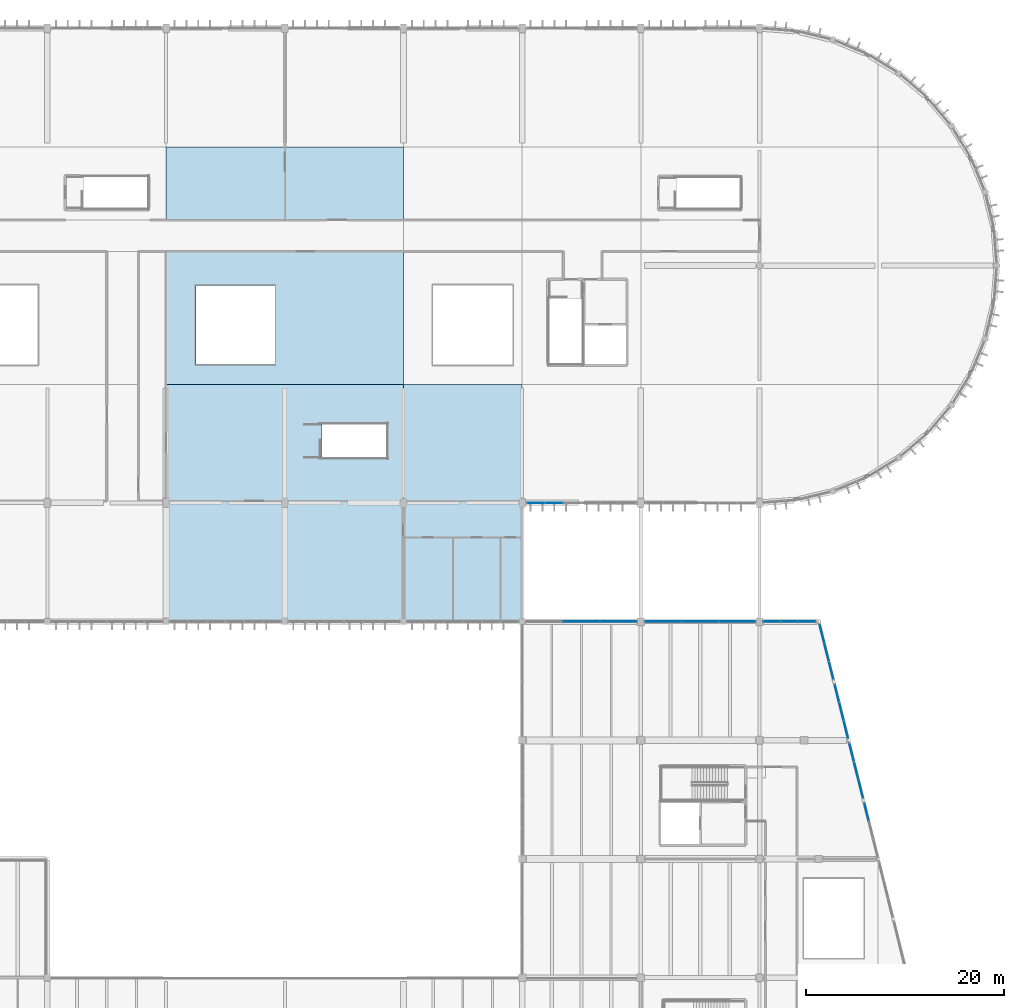
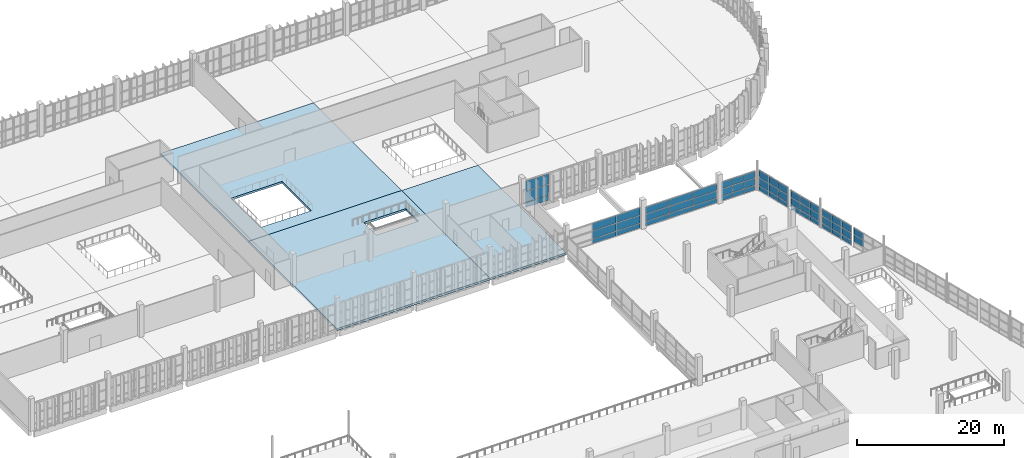
# One storey, part 67 of 112: 59 plates, 3 slabs, 8 elements without a shape of their own.
"""IFC4 building model written with IfcOpenShell, lengths in metres."""

from ifc_helpers import new_model, si_unit, direction, frame, origin, origin_2d, place, context, subcontext, project, spatial, polyline, rectangle, outline, extrude, material, layer, layer_set, type_object, element, aggregate, save


model = new_model("IFC4")

# Units and contexts
model_context = context("Model", 3, precision=1e-05, world=origin(), true_north=direction((0.0, 1.0)))
body_context = subcontext(model_context, "Body", "Model", "MODEL_VIEW")
ifc_project = project(units=[si_unit("LENGTHUNIT", "METRE"), si_unit("AREAUNIT", "SQUARE_METRE"), si_unit("VOLUMEUNIT", "CUBIC_METRE"), si_unit("PLANEANGLEUNIT", "RADIAN"), si_unit("MASSUNIT", "GRAM", prefix="KILO")], contexts=[model_context])

# Site, building, storey
site_placement = place(None, origin())
site = spatial("IfcSite", under=ifc_project, at=site_placement, CompositionType="ELEMENT")
building_placement = place(site_placement, origin())
building = spatial("IfcBuilding", under=site, at=building_placement, Name="Kamomehara Wholesale Market", CompositionType="ELEMENT")
storey_placement = place(building_placement, frame((0.0, 0.0, 6.60009765625)))
storey = spatial("IfcBuildingStorey", under=building, at=storey_placement, Name="L01", CompositionType="ELEMENT", Elevation=6.60009765625)

# Curtain wall, plates
ifc_material_1 = material(Name="Anodised aluminium 6063-T5", Category="aluminium")
curtain_wall_type_1 = type_object("IfcCurtainWallType", Name="CW-UN-02", PredefinedType="NOTDEFINED", material=ifc_material_1)
curtain_wall_1_placement = place(storey_placement, origin())
curtain_wall_1 = element("IfcCurtainWall", 1, at=curtain_wall_1_placement, inside=storey, type_object=curtain_wall_type_1, Name="Unitised curtain wall CW-092", PredefinedType="NOTDEFINED")
ifc_material_2 = material(Name="Solar-control Low-E double glazing", Category="glass")
ifc_layer_1 = layer(ifc_material_2, 0.028076171875)
ifc_layer_set_1 = layer_set([ifc_layer_1], Name="Solar-control Low-E double glazing")
plate_type_1 = type_object("IfcPlateType", Name="CW-PNL-GLZ", PredefinedType="CURTAIN_PANEL", material=ifc_layer_set_1)
plate_1_placement = place(storey_placement, frame((159.215087890625, 107.97998046875, 0.929443359375), z_axis=(0.0, 0.0, 1.0), x_axis=(-1.0, 0.0, 0.0)))
plate_1 = element("IfcPlate", 2, at=plate_1_placement, type_object=plate_type_1, Name="Curtain panel CW-092.1.1", PredefinedType="CURTAIN_PANEL", context=body_context, shape_type="SweptSolid", body=[
    extrude(rectangle(XDim=1.757080078125, YDim=0.028076171875, at=origin_2d()), origin(), (0.0, 0.0, 1.0), 1.7548828125),
])
plate_2_placement = place(storey_placement, frame((159.215087890625, 107.97998046875, 2.7451171875), z_axis=(0.0, 0.0, 1.0), x_axis=(-1.0, 0.0, 0.0)))
plate_2 = element("IfcPlate", 3, at=plate_2_placement, type_object=plate_type_1, Name="Curtain panel CW-092.1.2", PredefinedType="CURTAIN_PANEL", context=body_context, shape_type="SweptSolid", body=[
    extrude(rectangle(XDim=1.757080078125, YDim=0.028076171875, at=origin_2d()), origin(), (0.0, 0.0, 1.0), 1.715087890625),
])
plate_3_placement = place(storey_placement, frame((157.3779296875, 107.97998046875, 0.929443359375), z_axis=(0.0, 0.0, 1.0), x_axis=(-1.0, 0.0, 0.0)))
plate_3 = element("IfcPlate", 4, at=plate_3_placement, type_object=plate_type_1, Name="Curtain panel CW-092.2.1", PredefinedType="CURTAIN_PANEL", context=body_context, shape_type="SweptSolid", body=[
    extrude(rectangle(XDim=1.757080078125, YDim=0.028076171875, at=origin_2d()), origin(), (0.0, 0.0, 1.0), 1.7548828125),
])
plate_4_placement = place(storey_placement, frame((157.3779296875, 107.97998046875, 2.7451171875), z_axis=(0.0, 0.0, 1.0), x_axis=(-1.0, 0.0, 0.0)))
plate_4 = element("IfcPlate", 5, at=plate_4_placement, type_object=plate_type_1, Name="Curtain panel CW-092.2.2", PredefinedType="CURTAIN_PANEL", context=body_context, shape_type="SweptSolid", body=[
    extrude(rectangle(XDim=1.757080078125, YDim=0.028076171875, at=origin_2d()), origin(), (0.0, 0.0, 1.0), 1.715087890625),
])

ifc_material_3 = material(Name="Anodised aluminium 6063-T5", Category="aluminium")
curtain_wall_type_2 = type_object("IfcCurtainWallType", Name="CW-UN-09", PredefinedType="NOTDEFINED", material=ifc_material_3)
curtain_wall_2_placement = place(storey_placement, origin())
curtain_wall_2 = element("IfcCurtainWall", 6, at=curtain_wall_2_placement, inside=storey, type_object=curtain_wall_type_2, Name="Unitised curtain wall CW-185", PredefinedType="NOTDEFINED")
plate_5_placement = place(storey_placement, frame((189.333984375, 82.74609375, 0.8798828125), z_axis=(0.0, 0.0, 1.0), x_axis=(0.242616162662, -0.970122362187, 0.0)))
plate_5 = element("IfcPlate", 7, at=plate_5_placement, type_object=plate_type_1, Name="Curtain panel CW-185.0.1", PredefinedType="CURTAIN_PANEL", context=body_context, shape_type="SweptSolid", body=[
    extrude(rectangle(XDim=1.81494140625, YDim=0.028076171875, at=origin_2d()), origin(), (0.0, 0.0, 1.0), 1.154052734375),
])
plate_6_placement = place(storey_placement, frame((189.333984375, 82.74609375, 2.09375), z_axis=(0.0, 0.0, 1.0), x_axis=(0.242616162662, -0.970122362187, 0.0)))
plate_6 = element("IfcPlate", 8, at=plate_6_placement, type_object=plate_type_1, Name="Curtain panel CW-185.0.2", PredefinedType="CURTAIN_PANEL", context=body_context, shape_type="SweptSolid", body=[
    extrude(rectangle(XDim=1.81494140625, YDim=0.028076171875, at=origin_2d()), origin(), (0.0, 0.0, 1.0), 1.114013671875),
])
plate_7_placement = place(storey_placement, frame((189.7939453125, 80.907958984375, 0.8798828125), z_axis=(0.0, 0.0, 1.0), x_axis=(0.242616162662, -0.970122362187, 0.0)))
plate_7 = element("IfcPlate", 9, at=plate_7_placement, type_object=plate_type_1, Name="Curtain panel CW-185.1.1", PredefinedType="CURTAIN_PANEL", context=body_context, shape_type="SweptSolid", body=[
    extrude(rectangle(XDim=1.81494140625, YDim=0.028076171875, at=origin_2d()), origin(), (0.0, 0.0, 1.0), 1.154052734375),
])
plate_8_placement = place(storey_placement, frame((189.7939453125, 80.907958984375, 2.09375), z_axis=(0.0, 0.0, 1.0), x_axis=(0.242616162662, -0.970122362187, 0.0)))
plate_8 = element("IfcPlate", 10, at=plate_8_placement, type_object=plate_type_1, Name="Curtain panel CW-185.1.2", PredefinedType="CURTAIN_PANEL", context=body_context, shape_type="SweptSolid", body=[
    extrude(rectangle(XDim=1.81494140625, YDim=0.028076171875, at=origin_2d()), origin(), (0.0, 0.0, 1.0), 1.114013671875),
])
plate_9_placement = place(storey_placement, frame((190.25390625, 79.070068359375, 0.8798828125), z_axis=(0.0, 0.0, 1.0), x_axis=(0.242616162662, -0.970122362187, 0.0)))
plate_9 = element("IfcPlate", 11, at=plate_9_placement, type_object=plate_type_1, Name="Curtain panel CW-185.2.1", PredefinedType="CURTAIN_PANEL", context=body_context, shape_type="SweptSolid", body=[
    extrude(rectangle(XDim=1.81494140625, YDim=0.028076171875, at=origin_2d()), origin(), (0.0, 0.0, 1.0), 1.154052734375),
])
plate_10_placement = place(storey_placement, frame((190.25390625, 79.070068359375, 2.09375), z_axis=(0.0, 0.0, 1.0), x_axis=(0.242616162662, -0.970122362187, 0.0)))
plate_10 = element("IfcPlate", 12, at=plate_10_placement, type_object=plate_type_1, Name="Curtain panel CW-185.2.2", PredefinedType="CURTAIN_PANEL", context=body_context, shape_type="SweptSolid", body=[
    extrude(rectangle(XDim=1.81494140625, YDim=0.028076171875, at=origin_2d()), origin(), (0.0, 0.0, 1.0), 1.114013671875),
])

curtain_wall_3_placement = place(storey_placement, origin())
curtain_wall_3 = element("IfcCurtainWall", 13, at=curtain_wall_3_placement, inside=storey, type_object=curtain_wall_type_2, Name="Unitised curtain wall CW-186", PredefinedType="NOTDEFINED")
plate_11_placement = place(storey_placement, frame((190.8330078125, 76.751953125, 0.88037109375), z_axis=(0.0, 0.0, 1.0), x_axis=(0.242446840674, -0.97016469192, 0.0)))
plate_11 = element("IfcPlate", 14, at=plate_11_placement, type_object=plate_type_1, Name="Curtain panel CW-186.0.1", PredefinedType="CURTAIN_PANEL", context=body_context, shape_type="SweptSolid", body=[
    extrude(rectangle(XDim=1.802001953125, YDim=0.028076171875, at=origin_2d()), origin(), (0.0, 0.0, 1.0), 1.138916015625),
])
plate_12_placement = place(storey_placement, frame((190.8330078125, 76.751953125, 2.079345703125), z_axis=(0.0, 0.0, 1.0), x_axis=(0.242446840674, -0.97016469192, 0.0)))
plate_12 = element("IfcPlate", 15, at=plate_12_placement, type_object=plate_type_1, Name="Curtain panel CW-186.0.2", PredefinedType="CURTAIN_PANEL", context=body_context, shape_type="SweptSolid", body=[
    extrude(rectangle(XDim=1.802001953125, YDim=0.028076171875, at=origin_2d()), origin(), (0.0, 0.0, 1.0), 1.09912109375),
])
aggregate(curtain_wall_3, [plate_11, plate_12])

curtain_wall_4_placement = place(storey_placement, origin())
curtain_wall_4 = element("IfcCurtainWall", 16, at=curtain_wall_4_placement, inside=storey, type_object=curtain_wall_type_2, Name="Unitised curtain wall CW-187", PredefinedType="NOTDEFINED")
plate_13_placement = place(storey_placement, frame((186.333984375, 94.74609375, 0.8798828125), z_axis=(0.0, 0.0, 1.0), x_axis=(0.242616162662, -0.970122362187, 0.0)))
plate_13 = element("IfcPlate", 17, at=plate_13_placement, type_object=plate_type_1, Name="Curtain panel CW-187.0.1", PredefinedType="CURTAIN_PANEL", context=body_context, shape_type="SweptSolid", body=[
    extrude(rectangle(XDim=1.81494140625, YDim=0.028076171875, at=origin_2d()), origin(), (0.0, 0.0, 1.0), 1.25390625),
])
plate_14_placement = place(storey_placement, frame((186.333984375, 94.74609375, 2.19384765625), z_axis=(0.0, 0.0, 1.0), x_axis=(0.242616162662, -0.970122362187, 0.0)))
plate_14 = element("IfcPlate", 18, at=plate_14_placement, type_object=plate_type_1, Name="Curtain panel CW-187.0.2", PredefinedType="CURTAIN_PANEL", context=body_context, shape_type="SweptSolid", body=[
    extrude(rectangle(XDim=1.81494140625, YDim=0.028076171875, at=origin_2d()), origin(), (0.0, 0.0, 1.0), 1.214111328125),
])
plate_15_placement = place(storey_placement, frame((186.7939453125, 92.907958984375, 0.8798828125), z_axis=(0.0, 0.0, 1.0), x_axis=(0.242616162662, -0.970122362187, 0.0)))
plate_15 = element("IfcPlate", 19, at=plate_15_placement, type_object=plate_type_1, Name="Curtain panel CW-187.1.1", PredefinedType="CURTAIN_PANEL", context=body_context, shape_type="SweptSolid", body=[
    extrude(rectangle(XDim=1.81494140625, YDim=0.028076171875, at=origin_2d()), origin(), (0.0, 0.0, 1.0), 1.25390625),
])
plate_16_placement = place(storey_placement, frame((186.7939453125, 92.907958984375, 2.19384765625), z_axis=(0.0, 0.0, 1.0), x_axis=(0.242616162662, -0.970122362187, 0.0)))
plate_16 = element("IfcPlate", 20, at=plate_16_placement, type_object=plate_type_1, Name="Curtain panel CW-187.1.2", PredefinedType="CURTAIN_PANEL", context=body_context, shape_type="SweptSolid", body=[
    extrude(rectangle(XDim=1.81494140625, YDim=0.028076171875, at=origin_2d()), origin(), (0.0, 0.0, 1.0), 1.214111328125),
])
plate_17_placement = place(storey_placement, frame((187.25390625, 91.070068359375, 0.8798828125), z_axis=(0.0, 0.0, 1.0), x_axis=(0.242616162662, -0.970122362187, 0.0)))
plate_17 = element("IfcPlate", 21, at=plate_17_placement, type_object=plate_type_1, Name="Curtain panel CW-187.2.1", PredefinedType="CURTAIN_PANEL", context=body_context, shape_type="SweptSolid", body=[
    extrude(rectangle(XDim=1.81494140625, YDim=0.028076171875, at=origin_2d()), origin(), (0.0, 0.0, 1.0), 1.25390625),
])
plate_18_placement = place(storey_placement, frame((187.25390625, 91.070068359375, 2.19384765625), z_axis=(0.0, 0.0, 1.0), x_axis=(0.242616162662, -0.970122362187, 0.0)))
plate_18 = element("IfcPlate", 22, at=plate_18_placement, type_object=plate_type_1, Name="Curtain panel CW-187.2.2", PredefinedType="CURTAIN_PANEL", context=body_context, shape_type="SweptSolid", body=[
    extrude(rectangle(XDim=1.81494140625, YDim=0.028076171875, at=origin_2d()), origin(), (0.0, 0.0, 1.0), 1.214111328125),
])

curtain_wall_5_placement = place(storey_placement, origin())
curtain_wall_5 = element("IfcCurtainWall", 23, at=curtain_wall_5_placement, inside=storey, type_object=curtain_wall_type_2, Name="Unitised curtain wall CW-188", PredefinedType="NOTDEFINED")
plate_19_placement = place(storey_placement, frame((187.8330078125, 88.751953125, 0.8798828125), z_axis=(0.0, 0.0, 1.0), x_axis=(0.242446840674, -0.97016469192, 0.0)))
plate_19 = element("IfcPlate", 24, at=plate_19_placement, type_object=plate_type_1, Name="Curtain panel CW-188.0.1", PredefinedType="CURTAIN_PANEL", context=body_context, shape_type="SweptSolid", body=[
    extrude(rectangle(XDim=1.802001953125, YDim=0.028076171875, at=origin_2d()), origin(), (0.0, 0.0, 1.0), 1.154052734375),
])
plate_20_placement = place(storey_placement, frame((187.8330078125, 88.751953125, 2.09375), z_axis=(0.0, 0.0, 1.0), x_axis=(0.242446840674, -0.97016469192, 0.0)))
plate_20 = element("IfcPlate", 25, at=plate_20_placement, type_object=plate_type_1, Name="Curtain panel CW-188.0.2", PredefinedType="CURTAIN_PANEL", context=body_context, shape_type="SweptSolid", body=[
    extrude(rectangle(XDim=1.802001953125, YDim=0.028076171875, at=origin_2d()), origin(), (0.0, 0.0, 1.0), 1.114013671875),
])
plate_21_placement = place(storey_placement, frame((188.2890625, 86.926025390625, 0.8798828125), z_axis=(0.0, 0.0, 1.0), x_axis=(0.242446840674, -0.97016469192, 0.0)))
plate_21 = element("IfcPlate", 26, at=plate_21_placement, type_object=plate_type_1, Name="Curtain panel CW-188.1.1", PredefinedType="CURTAIN_PANEL", context=body_context, shape_type="SweptSolid", body=[
    extrude(rectangle(XDim=1.802001953125, YDim=0.028076171875, at=origin_2d()), origin(), (0.0, 0.0, 1.0), 1.154052734375),
])
plate_22_placement = place(storey_placement, frame((188.2890625, 86.926025390625, 2.09375), z_axis=(0.0, 0.0, 1.0), x_axis=(0.242446840674, -0.97016469192, 0.0)))
plate_22 = element("IfcPlate", 27, at=plate_22_placement, type_object=plate_type_1, Name="Curtain panel CW-188.1.2", PredefinedType="CURTAIN_PANEL", context=body_context, shape_type="SweptSolid", body=[
    extrude(rectangle(XDim=1.802001953125, YDim=0.028076171875, at=origin_2d()), origin(), (0.0, 0.0, 1.0), 1.114013671875),
])
plate_23_placement = place(storey_placement, frame((188.7451171875, 85.10009765625, 0.8798828125), z_axis=(0.0, 0.0, 1.0), x_axis=(0.242446840674, -0.97016469192, 0.0)))
plate_23 = element("IfcPlate", 28, at=plate_23_placement, type_object=plate_type_1, Name="Curtain panel CW-188.2.1", PredefinedType="CURTAIN_PANEL", context=body_context, shape_type="SweptSolid", body=[
    extrude(rectangle(XDim=1.802001953125, YDim=0.028076171875, at=origin_2d()), origin(), (0.0, 0.0, 1.0), 1.154052734375),
])
plate_24_placement = place(storey_placement, frame((188.7451171875, 85.10009765625, 2.09375), z_axis=(0.0, 0.0, 1.0), x_axis=(0.242446840674, -0.97016469192, 0.0)))
plate_24 = element("IfcPlate", 29, at=plate_24_placement, type_object=plate_type_1, Name="Curtain panel CW-188.2.2", PredefinedType="CURTAIN_PANEL", context=body_context, shape_type="SweptSolid", body=[
    extrude(rectangle(XDim=1.802001953125, YDim=0.028076171875, at=origin_2d()), origin(), (0.0, 0.0, 1.0), 1.114013671875),
])

ifc_material_4 = material(Name="Anodised aluminium 6063-T5", Category="aluminium")
curtain_wall_type_3 = type_object("IfcCurtainWallType", Name="CW-UN-08", PredefinedType="NOTDEFINED", material=ifc_material_4)
curtain_wall_6_placement = place(storey_placement, origin())
curtain_wall_6 = element("IfcCurtainWall", 30, at=curtain_wall_6_placement, inside=storey, type_object=curtain_wall_type_3, Name="Unitised curtain wall CW-189", PredefinedType="NOTDEFINED")
plate_25_placement = place(storey_placement, frame((161.98291015625, 96.02001953125, 0.8798828125), z_axis=(0.0, 0.0, 1.0), x_axis=(1.0, 0.0, 0.0)))
plate_25 = element("IfcPlate", 31, at=plate_25_placement, type_object=plate_type_1, Name="Curtain panel CW-189.1.1", PredefinedType="CURTAIN_PANEL", context=body_context, shape_type="SweptSolid", body=[
    extrude(rectangle(XDim=3.675048828125, YDim=0.028076171875, at=origin_2d()), origin(), (0.0, 0.0, 1.0), 1.27392578125),
])
plate_26_placement = place(storey_placement, frame((161.98291015625, 96.02001953125, 2.2138671875), z_axis=(0.0, 0.0, 1.0), x_axis=(1.0, 0.0, 0.0)))
plate_26 = element("IfcPlate", 32, at=plate_26_placement, type_object=plate_type_1, Name="Curtain panel CW-189.1.2", PredefinedType="CURTAIN_PANEL", context=body_context, shape_type="SweptSolid", body=[
    extrude(rectangle(XDim=3.675048828125, YDim=0.028076171875, at=origin_2d()), origin(), (0.0, 0.0, 1.0), 1.23388671875),
])
plate_27_placement = place(storey_placement, frame((165.738037109375, 96.02001953125, 0.8798828125), z_axis=(0.0, 0.0, 1.0), x_axis=(1.0, 0.0, 0.0)))
plate_27 = element("IfcPlate", 33, at=plate_27_placement, type_object=plate_type_1, Name="Curtain panel CW-189.2.1", PredefinedType="CURTAIN_PANEL", context=body_context, shape_type="SweptSolid", body=[
    extrude(rectangle(XDim=3.675048828125, YDim=0.028076171875, at=origin_2d()), origin(), (0.0, 0.0, 1.0), 1.27392578125),
])
plate_28_placement = place(storey_placement, frame((165.738037109375, 96.02001953125, 2.2138671875), z_axis=(0.0, 0.0, 1.0), x_axis=(1.0, 0.0, 0.0)))
plate_28 = element("IfcPlate", 34, at=plate_28_placement, type_object=plate_type_1, Name="Curtain panel CW-189.2.2", PredefinedType="CURTAIN_PANEL", context=body_context, shape_type="SweptSolid", body=[
    extrude(rectangle(XDim=3.675048828125, YDim=0.028076171875, at=origin_2d()), origin(), (0.0, 0.0, 1.0), 1.23388671875),
])

curtain_wall_7_placement = place(storey_placement, origin())
curtain_wall_7 = element("IfcCurtainWall", 35, at=curtain_wall_7_placement, inside=storey, type_object=curtain_wall_type_3, Name="Unitised curtain wall CW-190", PredefinedType="NOTDEFINED")
plate_29_placement = place(storey_placement, frame((170.257080078125, 96.02001953125, 0.88037109375), z_axis=(0.0, 0.0, 1.0), x_axis=(1.0, 0.0, 0.0)))
plate_29 = element("IfcPlate", 36, at=plate_29_placement, type_object=plate_type_1, Name="Curtain panel CW-190.0.1", PredefinedType="CURTAIN_PANEL", context=body_context, shape_type="SweptSolid", body=[
    extrude(rectangle(XDim=3.6630859375, YDim=0.028076171875, at=origin_2d()), origin(), (0.0, 0.0, 1.0), 1.14892578125),
])
plate_30_placement = place(storey_placement, frame((170.257080078125, 96.02001953125, 2.08935546875), z_axis=(0.0, 0.0, 1.0), x_axis=(1.0, 0.0, 0.0)))
plate_30 = element("IfcPlate", 37, at=plate_30_placement, type_object=plate_type_1, Name="Curtain panel CW-190.0.2", PredefinedType="CURTAIN_PANEL", context=body_context, shape_type="SweptSolid", body=[
    extrude(rectangle(XDim=3.6630859375, YDim=0.028076171875, at=origin_2d()), origin(), (0.0, 0.0, 1.0), 1.10888671875),
])
plate_31_placement = place(storey_placement, frame((174.0, 96.02001953125, 0.88037109375), z_axis=(0.0, 0.0, 1.0), x_axis=(1.0, 0.0, 0.0)))
plate_31 = element("IfcPlate", 38, at=plate_31_placement, type_object=plate_type_1, Name="Curtain panel CW-190.1.1", PredefinedType="CURTAIN_PANEL", context=body_context, shape_type="SweptSolid", body=[
    extrude(rectangle(XDim=3.6630859375, YDim=0.028076171875, at=origin_2d()), origin(), (0.0, 0.0, 1.0), 1.14892578125),
])
plate_32_placement = place(storey_placement, frame((174.0, 96.02001953125, 2.08935546875), z_axis=(0.0, 0.0, 1.0), x_axis=(1.0, 0.0, 0.0)))
plate_32 = element("IfcPlate", 39, at=plate_32_placement, type_object=plate_type_1, Name="Curtain panel CW-190.1.2", PredefinedType="CURTAIN_PANEL", context=body_context, shape_type="SweptSolid", body=[
    extrude(rectangle(XDim=3.6630859375, YDim=0.028076171875, at=origin_2d()), origin(), (0.0, 0.0, 1.0), 1.10888671875),
])
plate_33_placement = place(storey_placement, frame((177.742919921875, 96.02001953125, 0.88037109375), z_axis=(0.0, 0.0, 1.0), x_axis=(1.0, 0.0, 0.0)))
plate_33 = element("IfcPlate", 40, at=plate_33_placement, type_object=plate_type_1, Name="Curtain panel CW-190.2.1", PredefinedType="CURTAIN_PANEL", context=body_context, shape_type="SweptSolid", body=[
    extrude(rectangle(XDim=3.6630859375, YDim=0.028076171875, at=origin_2d()), origin(), (0.0, 0.0, 1.0), 1.14892578125),
])
plate_34_placement = place(storey_placement, frame((177.742919921875, 96.02001953125, 2.08935546875), z_axis=(0.0, 0.0, 1.0), x_axis=(1.0, 0.0, 0.0)))
plate_34 = element("IfcPlate", 41, at=plate_34_placement, type_object=plate_type_1, Name="Curtain panel CW-190.2.2", PredefinedType="CURTAIN_PANEL", context=body_context, shape_type="SweptSolid", body=[
    extrude(rectangle(XDim=3.6630859375, YDim=0.028076171875, at=origin_2d()), origin(), (0.0, 0.0, 1.0), 1.10888671875),
])

curtain_wall_8_placement = place(storey_placement, origin())
curtain_wall_8 = element("IfcCurtainWall", 42, at=curtain_wall_8_placement, inside=storey, type_object=curtain_wall_type_3, Name="Unitised curtain wall CW-191", PredefinedType="NOTDEFINED")
plate_35_placement = place(storey_placement, frame((181.261962890625, 96.02001953125, 0.88037109375), z_axis=(0.0, 0.0, 1.0), x_axis=(1.0, 0.0, 0.0)))
plate_35 = element("IfcPlate", 43, at=plate_35_placement, type_object=plate_type_1, Name="Curtain panel CW-191.0.1", PredefinedType="CURTAIN_PANEL", context=body_context, shape_type="SweptSolid", body=[
    extrude(rectangle(XDim=1.675048828125, YDim=0.028076171875, at=origin_2d()), origin(), (0.0, 0.0, 1.0), 1.14892578125),
])
plate_36_placement = place(storey_placement, frame((181.261962890625, 96.02001953125, 2.08935546875), z_axis=(0.0, 0.0, 1.0), x_axis=(1.0, 0.0, 0.0)))
plate_36 = element("IfcPlate", 44, at=plate_36_placement, type_object=plate_type_1, Name="Curtain panel CW-191.0.2", PredefinedType="CURTAIN_PANEL", context=body_context, shape_type="SweptSolid", body=[
    extrude(rectangle(XDim=1.675048828125, YDim=0.028076171875, at=origin_2d()), origin(), (0.0, 0.0, 1.0), 1.10888671875),
])
plate_37_placement = place(storey_placement, frame((183.01708984375, 96.02001953125, 0.88037109375), z_axis=(0.0, 0.0, 1.0), x_axis=(1.0, 0.0, 0.0)))
plate_37 = element("IfcPlate", 45, at=plate_37_placement, type_object=plate_type_1, Name="Curtain panel CW-191.1.1", PredefinedType="CURTAIN_PANEL", context=body_context, shape_type="SweptSolid", body=[
    extrude(rectangle(XDim=1.675048828125, YDim=0.028076171875, at=origin_2d()), origin(), (0.0, 0.0, 1.0), 1.14892578125),
])
plate_38_placement = place(storey_placement, frame((183.01708984375, 96.02001953125, 2.08935546875), z_axis=(0.0, 0.0, 1.0), x_axis=(1.0, 0.0, 0.0)))
plate_38 = element("IfcPlate", 46, at=plate_38_placement, type_object=plate_type_1, Name="Curtain panel CW-191.1.2", PredefinedType="CURTAIN_PANEL", context=body_context, shape_type="SweptSolid", body=[
    extrude(rectangle(XDim=1.675048828125, YDim=0.028076171875, at=origin_2d()), origin(), (0.0, 0.0, 1.0), 1.10888671875),
])
plate_39_placement = place(storey_placement, frame((184.77294921875, 96.02001953125, 0.88037109375), z_axis=(0.0, 0.0, 1.0), x_axis=(1.0, 0.0, 0.0)))
plate_39 = element("IfcPlate", 47, at=plate_39_placement, type_object=plate_type_1, Name="Curtain panel CW-191.2.1", PredefinedType="CURTAIN_PANEL", context=body_context, shape_type="SweptSolid", body=[
    extrude(rectangle(XDim=1.675048828125, YDim=0.028076171875, at=origin_2d()), origin(), (0.0, 0.0, 1.0), 1.14892578125),
])
plate_40_placement = place(storey_placement, frame((184.77294921875, 96.02001953125, 2.08935546875), z_axis=(0.0, 0.0, 1.0), x_axis=(1.0, 0.0, 0.0)))
plate_40 = element("IfcPlate", 48, at=plate_40_placement, type_object=plate_type_1, Name="Curtain panel CW-191.2.2", PredefinedType="CURTAIN_PANEL", context=body_context, shape_type="SweptSolid", body=[
    extrude(rectangle(XDim=1.675048828125, YDim=0.028076171875, at=origin_2d()), origin(), (0.0, 0.0, 1.0), 1.10888671875),
])

# Plate
ifc_material_5 = material(Name="Insulated aluminium spandrel panel", Category="aluminium")
ifc_layer_2 = layer(ifc_material_5, 0.0400390625)
ifc_layer_set_2 = layer_set([ifc_layer_2], Name="Insulated aluminium spandrel panel")
plate_type_2 = type_object("IfcPlateType", Name="CW-PNL-SPN", PredefinedType="CURTAIN_PANEL", material=ifc_layer_set_2)
plate_41_placement = place(storey_placement, frame((159.215087890625, 107.97998046875, 0.06982421875), z_axis=(0.0, 0.0, 1.0), x_axis=(-1.0, 0.0, 0.0)))
plate_41 = element("IfcPlate", 49, at=plate_41_placement, type_object=plate_type_2, Name="Curtain panel CW-092.1.0", PredefinedType="CURTAIN_PANEL", context=body_context, shape_type="SweptSolid", body=[
    extrude(rectangle(XDim=1.757080078125, YDim=0.0400390625, at=origin_2d()), origin(), (0.0, 0.0, 1.0), 0.800048828125),
])

plate_42_placement = place(storey_placement, frame((157.3779296875, 107.97998046875, 0.06982421875), z_axis=(0.0, 0.0, 1.0), x_axis=(-1.0, 0.0, 0.0)))
plate_42 = element("IfcPlate", 50, at=plate_42_placement, type_object=plate_type_2, Name="Curtain panel CW-092.2.0", PredefinedType="CURTAIN_PANEL", context=body_context, shape_type="SweptSolid", body=[
    extrude(rectangle(XDim=1.757080078125, YDim=0.0400390625, at=origin_2d()), origin(), (0.0, 0.0, 1.0), 0.800048828125),
])

aggregate(curtain_wall_1, [plate_41, plate_1, plate_2, plate_42, plate_3, plate_4])

plate_43_placement = place(storey_placement, frame((189.333984375, 82.74609375, 0.06982421875), z_axis=(0.0, 0.0, 1.0), x_axis=(0.242616162662, -0.970122362187, 0.0)))
plate_43 = element("IfcPlate", 51, at=plate_43_placement, type_object=plate_type_2, Name="Curtain panel CW-185.0.0", PredefinedType="CURTAIN_PANEL", context=body_context, shape_type="SweptSolid", body=[
    extrude(rectangle(XDim=1.81494140625, YDim=0.0400390625, at=origin_2d()), origin(), (0.0, 0.0, 1.0), 0.75),
])

plate_44_placement = place(storey_placement, frame((189.7939453125, 80.907958984375, 0.06982421875), z_axis=(0.0, 0.0, 1.0), x_axis=(0.242616162662, -0.970122362187, 0.0)))
plate_44 = element("IfcPlate", 52, at=plate_44_placement, type_object=plate_type_2, Name="Curtain panel CW-185.1.0", PredefinedType="CURTAIN_PANEL", context=body_context, shape_type="SweptSolid", body=[
    extrude(rectangle(XDim=1.81494140625, YDim=0.0400390625, at=origin_2d()), origin(), (0.0, 0.0, 1.0), 0.75),
])

plate_45_placement = place(storey_placement, frame((190.25390625, 79.070068359375, 0.06982421875), z_axis=(0.0, 0.0, 1.0), x_axis=(0.242616162662, -0.970122362187, 0.0)))
plate_45 = element("IfcPlate", 53, at=plate_45_placement, type_object=plate_type_2, Name="Curtain panel CW-185.2.0", PredefinedType="CURTAIN_PANEL", context=body_context, shape_type="SweptSolid", body=[
    extrude(rectangle(XDim=1.81494140625, YDim=0.0400390625, at=origin_2d()), origin(), (0.0, 0.0, 1.0), 0.75),
])

aggregate(curtain_wall_2, [plate_43, plate_5, plate_6, plate_44, plate_7, plate_8, plate_45, plate_9, plate_10])

plate_46_placement = place(storey_placement, frame((186.333984375, 94.74609375, 0.06982421875), z_axis=(0.0, 0.0, 1.0), x_axis=(0.242616162662, -0.970122362187, 0.0)))
plate_46 = element("IfcPlate", 54, at=plate_46_placement, type_object=plate_type_2, Name="Curtain panel CW-187.0.0", PredefinedType="CURTAIN_PANEL", context=body_context, shape_type="SweptSolid", body=[
    extrude(rectangle(XDim=1.81494140625, YDim=0.0400390625, at=origin_2d()), origin(), (0.0, 0.0, 1.0), 0.75),
])

plate_47_placement = place(storey_placement, frame((186.7939453125, 92.907958984375, 0.06982421875), z_axis=(0.0, 0.0, 1.0), x_axis=(0.242616162662, -0.970122362187, 0.0)))
plate_47 = element("IfcPlate", 55, at=plate_47_placement, type_object=plate_type_2, Name="Curtain panel CW-187.1.0", PredefinedType="CURTAIN_PANEL", context=body_context, shape_type="SweptSolid", body=[
    extrude(rectangle(XDim=1.81494140625, YDim=0.0400390625, at=origin_2d()), origin(), (0.0, 0.0, 1.0), 0.75),
])

plate_48_placement = place(storey_placement, frame((187.25390625, 91.070068359375, 0.06982421875), z_axis=(0.0, 0.0, 1.0), x_axis=(0.242616162662, -0.970122362187, 0.0)))
plate_48 = element("IfcPlate", 56, at=plate_48_placement, type_object=plate_type_2, Name="Curtain panel CW-187.2.0", PredefinedType="CURTAIN_PANEL", context=body_context, shape_type="SweptSolid", body=[
    extrude(rectangle(XDim=1.81494140625, YDim=0.0400390625, at=origin_2d()), origin(), (0.0, 0.0, 1.0), 0.75),
])

aggregate(curtain_wall_4, [plate_46, plate_13, plate_14, plate_47, plate_15, plate_16, plate_48, plate_17, plate_18])

plate_49_placement = place(storey_placement, frame((187.8330078125, 88.751953125, 0.06982421875), z_axis=(0.0, 0.0, 1.0), x_axis=(0.242446840674, -0.97016469192, 0.0)))
plate_49 = element("IfcPlate", 57, at=plate_49_placement, type_object=plate_type_2, Name="Curtain panel CW-188.0.0", PredefinedType="CURTAIN_PANEL", context=body_context, shape_type="SweptSolid", body=[
    extrude(rectangle(XDim=1.802001953125, YDim=0.0400390625, at=origin_2d()), origin(), (0.0, 0.0, 1.0), 0.75),
])

plate_50_placement = place(storey_placement, frame((188.2890625, 86.926025390625, 0.06982421875), z_axis=(0.0, 0.0, 1.0), x_axis=(0.242446840674, -0.97016469192, 0.0)))
plate_50 = element("IfcPlate", 58, at=plate_50_placement, type_object=plate_type_2, Name="Curtain panel CW-188.1.0", PredefinedType="CURTAIN_PANEL", context=body_context, shape_type="SweptSolid", body=[
    extrude(rectangle(XDim=1.802001953125, YDim=0.0400390625, at=origin_2d()), origin(), (0.0, 0.0, 1.0), 0.75),
])

plate_51_placement = place(storey_placement, frame((188.7451171875, 85.10009765625, 0.06982421875), z_axis=(0.0, 0.0, 1.0), x_axis=(0.242446840674, -0.97016469192, 0.0)))
plate_51 = element("IfcPlate", 59, at=plate_51_placement, type_object=plate_type_2, Name="Curtain panel CW-188.2.0", PredefinedType="CURTAIN_PANEL", context=body_context, shape_type="SweptSolid", body=[
    extrude(rectangle(XDim=1.802001953125, YDim=0.0400390625, at=origin_2d()), origin(), (0.0, 0.0, 1.0), 0.75),
])

aggregate(curtain_wall_5, [plate_49, plate_19, plate_20, plate_50, plate_21, plate_22, plate_51, plate_23, plate_24])

plate_52_placement = place(storey_placement, frame((161.98291015625, 96.02001953125, 0.06982421875), z_axis=(0.0, 0.0, 1.0), x_axis=(1.0, 0.0, 0.0)))
plate_52 = element("IfcPlate", 60, at=plate_52_placement, type_object=plate_type_2, Name="Curtain panel CW-189.1.0", PredefinedType="CURTAIN_PANEL", context=body_context, shape_type="SweptSolid", body=[
    extrude(rectangle(XDim=3.675048828125, YDim=0.0400390625, at=origin_2d()), origin(), (0.0, 0.0, 1.0), 0.75),
])

plate_53_placement = place(storey_placement, frame((165.738037109375, 96.02001953125, 0.06982421875), z_axis=(0.0, 0.0, 1.0), x_axis=(1.0, 0.0, 0.0)))
plate_53 = element("IfcPlate", 61, at=plate_53_placement, type_object=plate_type_2, Name="Curtain panel CW-189.2.0", PredefinedType="CURTAIN_PANEL", context=body_context, shape_type="SweptSolid", body=[
    extrude(rectangle(XDim=3.675048828125, YDim=0.0400390625, at=origin_2d()), origin(), (0.0, 0.0, 1.0), 0.75),
])

aggregate(curtain_wall_6, [plate_52, plate_25, plate_26, plate_53, plate_27, plate_28])

plate_54_placement = place(storey_placement, frame((170.257080078125, 96.02001953125, 0.06982421875), z_axis=(0.0, 0.0, 1.0), x_axis=(1.0, 0.0, 0.0)))
plate_54 = element("IfcPlate", 62, at=plate_54_placement, type_object=plate_type_2, Name="Curtain panel CW-190.0.0", PredefinedType="CURTAIN_PANEL", context=body_context, shape_type="SweptSolid", body=[
    extrude(rectangle(XDim=3.6630859375, YDim=0.0400390625, at=origin_2d()), origin(), (0.0, 0.0, 1.0), 0.75),
])

plate_55_placement = place(storey_placement, frame((174.0, 96.02001953125, 0.06982421875), z_axis=(0.0, 0.0, 1.0), x_axis=(1.0, 0.0, 0.0)))
plate_55 = element("IfcPlate", 63, at=plate_55_placement, type_object=plate_type_2, Name="Curtain panel CW-190.1.0", PredefinedType="CURTAIN_PANEL", context=body_context, shape_type="SweptSolid", body=[
    extrude(rectangle(XDim=3.6630859375, YDim=0.0400390625, at=origin_2d()), origin(), (0.0, 0.0, 1.0), 0.75),
])

plate_56_placement = place(storey_placement, frame((177.742919921875, 96.02001953125, 0.06982421875), z_axis=(0.0, 0.0, 1.0), x_axis=(1.0, 0.0, 0.0)))
plate_56 = element("IfcPlate", 64, at=plate_56_placement, type_object=plate_type_2, Name="Curtain panel CW-190.2.0", PredefinedType="CURTAIN_PANEL", context=body_context, shape_type="SweptSolid", body=[
    extrude(rectangle(XDim=3.6630859375, YDim=0.0400390625, at=origin_2d()), origin(), (0.0, 0.0, 1.0), 0.75),
])

aggregate(curtain_wall_7, [plate_54, plate_29, plate_30, plate_55, plate_31, plate_32, plate_56, plate_33, plate_34])

plate_57_placement = place(storey_placement, frame((181.261962890625, 96.02001953125, 0.06982421875), z_axis=(0.0, 0.0, 1.0), x_axis=(1.0, 0.0, 0.0)))
plate_57 = element("IfcPlate", 65, at=plate_57_placement, type_object=plate_type_2, Name="Curtain panel CW-191.0.0", PredefinedType="CURTAIN_PANEL", context=body_context, shape_type="SweptSolid", body=[
    extrude(rectangle(XDim=1.675048828125, YDim=0.0400390625, at=origin_2d()), origin(), (0.0, 0.0, 1.0), 0.75),
])

plate_58_placement = place(storey_placement, frame((183.01708984375, 96.02001953125, 0.06982421875), z_axis=(0.0, 0.0, 1.0), x_axis=(1.0, 0.0, 0.0)))
plate_58 = element("IfcPlate", 66, at=plate_58_placement, type_object=plate_type_2, Name="Curtain panel CW-191.1.0", PredefinedType="CURTAIN_PANEL", context=body_context, shape_type="SweptSolid", body=[
    extrude(rectangle(XDim=1.675048828125, YDim=0.0400390625, at=origin_2d()), origin(), (0.0, 0.0, 1.0), 0.75),
])

plate_59_placement = place(storey_placement, frame((184.77294921875, 96.02001953125, 0.06982421875), z_axis=(0.0, 0.0, 1.0), x_axis=(1.0, 0.0, 0.0)))
plate_59 = element("IfcPlate", 67, at=plate_59_placement, type_object=plate_type_2, Name="Curtain panel CW-191.2.0", PredefinedType="CURTAIN_PANEL", context=body_context, shape_type="SweptSolid", body=[
    extrude(rectangle(XDim=1.675048828125, YDim=0.0400390625, at=origin_2d()), origin(), (0.0, 0.0, 1.0), 0.75),
])

aggregate(curtain_wall_8, [plate_57, plate_35, plate_36, plate_58, plate_37, plate_38, plate_59, plate_39, plate_40])

# Slabs
ifc_material_6 = material(Name="Concrete Fc36 (C35/45)", Category="concrete")
ifc_layer_3 = layer(ifc_material_6, 0.320068359375)
ifc_layer_set_3 = layer_set([ifc_layer_3], Name="Concrete Fc36 (C35/45)")
slab_type_1 = type_object("IfcSlabType", Name="SLB-FLR-240", PredefinedType="FLOOR", material=ifc_layer_set_3)
slab_1_placement = place(storey_placement, frame((0.0, 0.0, -0.320068359375)))
element("IfcSlab", 68, at=slab_1_placement, inside=storey, type_object=slab_type_1, Name="Floor slab V1 L01 79", PredefinedType="FLOOR", context=body_context, shape_type="SweptSolid", body=[
    extrude(outline(polyline([(156.0, 96.0), (144.0, 96.0), (144.0, 120.0), (156.0, 120.0), (156.0, 96.0)])), origin(), (0.0, 0.0, 1.0), 0.320068359375),
])
ifc_material_7 = material(Name="Concrete Fc36 (C35/45)", Category="concrete")
ifc_layer_4 = layer(ifc_material_7, 0.330078125)
ifc_layer_set_4 = layer_set([ifc_layer_4], Name="Concrete Fc36 (C35/45)")
slab_type_2 = type_object("IfcSlabType", Name="SLB-FLR-260", PredefinedType="FLOOR", material=ifc_layer_set_4)
slab_2_placement = place(storey_placement, frame((0.0, 0.0, -0.330078125)))
element("IfcSlab", 69, at=slab_2_placement, inside=storey, type_object=slab_type_2, Name="Floor slab V1 L01 77", PredefinedType="FLOOR", context=body_context, shape_type="SweptSolid", body=[
    extrude(outline(polyline([(120.0, 120.0), (120.0, 144.0), (144.0, 144.0), (144.0, 120.0), (120.0, 120.0)]), holes=[polyline([(131.0, 122.0), (131.0, 130.0), (123.0, 130.0), (123.0, 122.0), (131.0, 122.0)])]), origin(), (0.0, 0.0, 1.0), 0.330078125),
])
ifc_material_8 = material(Name="Concrete Fc36 (C35/45)", Category="concrete")
ifc_layer_5 = layer(ifc_material_8, 0.340087890625)
ifc_layer_set_5 = layer_set([ifc_layer_5], Name="Concrete Fc36 (C35/45)")
slab_type_3 = type_object("IfcSlabType", Name="SLB-FLR-280", PredefinedType="FLOOR", material=ifc_layer_set_5)
slab_3_placement = place(storey_placement, frame((0.0, 0.0, -0.340087890625)))
element("IfcSlab", 70, at=slab_3_placement, inside=storey, type_object=slab_type_3, Name="Floor slab V1 L01 76", PredefinedType="FLOOR", context=body_context, shape_type="SweptSolid", body=[
    extrude(outline(polyline([(120.0, 120.0), (144.0, 120.0), (144.0, 96.0), (120.0, 96.0), (120.0, 120.0)]), holes=[polyline([(142.340087890625, 112.550048828125), (142.340087890625, 115.989990234375), (135.739990234375, 115.989990234375), (135.739990234375, 112.550048828125), (142.340087890625, 112.550048828125)])]), origin(), (0.0, 0.0, 1.0), 0.340087890625),
])

save(model, "model.ifc")
